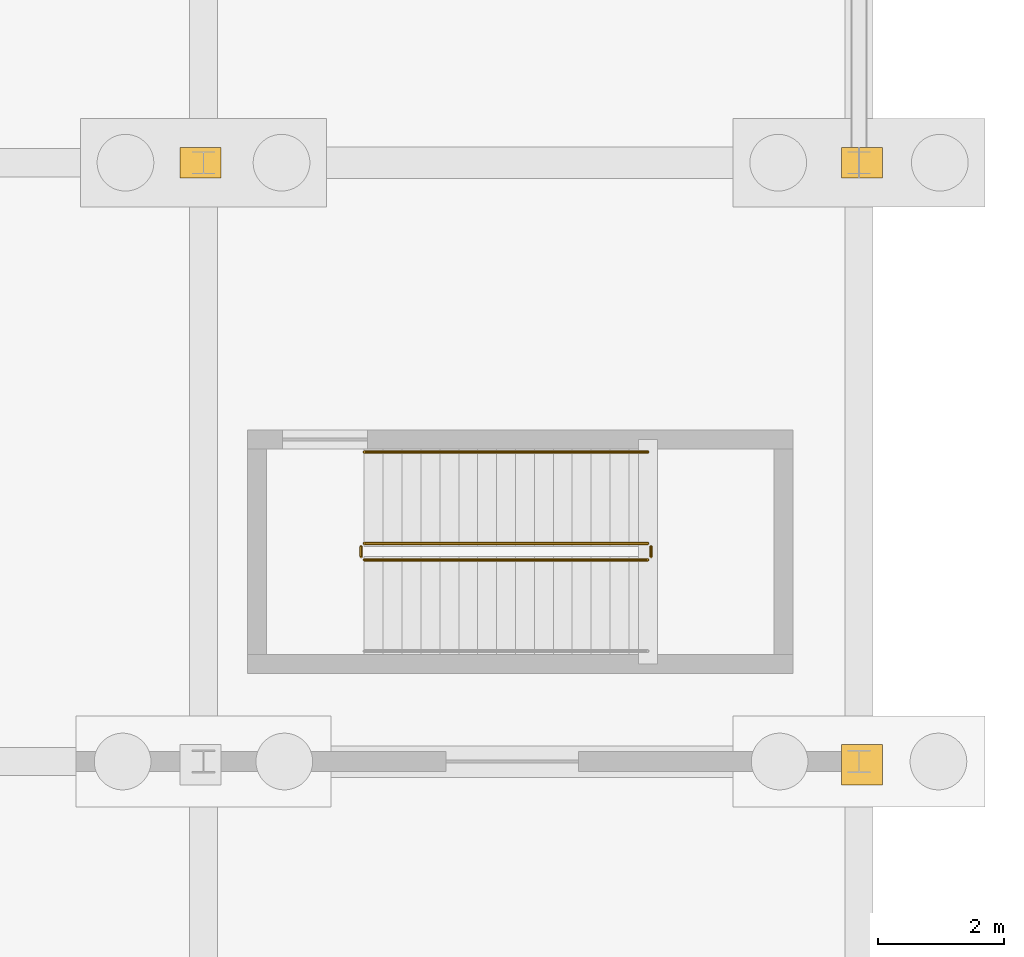
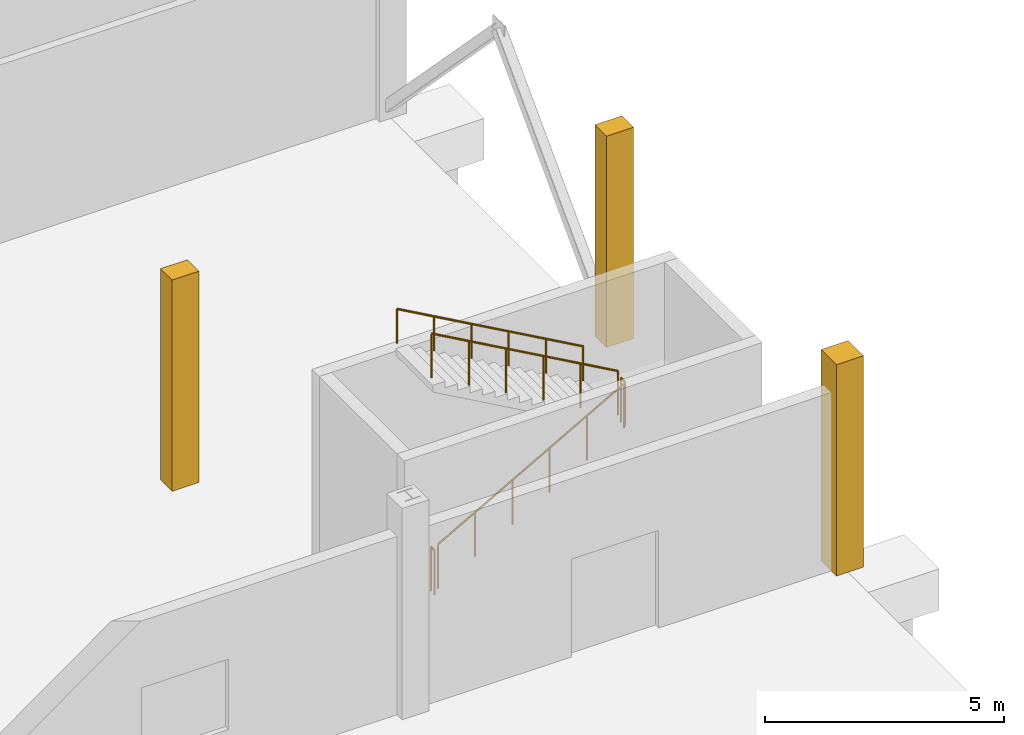
# One storey, part 80 of 83: 5 railings, 3 coverings.
"""IFC4 building model written with IfcOpenShell, lengths in metres."""

from ifc_helpers import new_model, si_unit, direction, frame, origin, origin_2d, place, context, subcontext, project, spatial, rectangle, circle, extrude, material, layer, layer_set, type_object, element, save


model = new_model("IFC4")

# Units and contexts
model_context = context("Model", 3, precision=1e-05, world=origin(), true_north=direction((0.0, 1.0)))
body_context = subcontext(model_context, "Body", "Model", "MODEL_VIEW")
ifc_project = project(units=[si_unit("LENGTHUNIT", "METRE"), si_unit("AREAUNIT", "SQUARE_METRE"), si_unit("VOLUMEUNIT", "CUBIC_METRE"), si_unit("PLANEANGLEUNIT", "RADIAN"), si_unit("MASSUNIT", "GRAM", prefix="KILO")], contexts=[model_context])

# Site, building, storey
site_placement = place(None, origin())
site = spatial("IfcSite", under=ifc_project, at=site_placement, CompositionType="ELEMENT")
building_placement = place(site_placement, origin())
building = spatial("IfcBuilding", under=site, at=building_placement, Name="Caurita Quay Ferry Terminal", CompositionType="ELEMENT")
storey_placement = place(building_placement, origin())
storey = spatial("IfcBuildingStorey", under=building, at=storey_placement, Name="L00", CompositionType="ELEMENT", Elevation=0.0)

# Coverings
ifc_material_1 = material(Name="Warm-white lime stucco masonry", Category="masonry")
ifc_layer = layer(ifc_material_1, 0.179931640625, Name="Classical engaged lime-stucco facade pilaster cladding 180 mm")
ifc_layer_set = layer_set([ifc_layer], Name="Warm-white lime stucco masonry")
covering_type = type_object("IfcCoveringType", Name="COV-PIL-CLD", PredefinedType="CLADDING", material=ifc_layer_set)
covering_1_placement = place(storey_placement, frame((163.550048828125, 53.199951171875, 0.0), z_axis=(0.0, 0.0, 1.0), x_axis=(1.0, 0.0, 0.0)))
element("IfcCovering", 1, at=covering_1_placement, inside=storey, type_object=covering_type, Name="L00 Classical Engaged Pilaster 0174", PredefinedType="CLADDING", context=body_context, shape_type="SweptSolid", body=[
    extrude(rectangle(XDim=0.65087890625, YDim=0.483154296875, at=origin_2d()), origin(), (0.0, 0.0, 1.0), 5.39990234375),
])
covering_2_placement = place(storey_placement, frame((174.050048828125, 43.64990234375, 0.0), z_axis=(0.0, 0.0, 1.0), x_axis=(1.0, 0.0, 0.0)))
element("IfcCovering", 2, at=covering_2_placement, inside=storey, type_object=covering_type, Name="L00 Classical Engaged Pilaster 0191", PredefinedType="CLADDING", context=body_context, shape_type="SweptSolid", body=[
    extrude(rectangle(XDim=0.65087890625, YDim=0.643310546875, at=origin_2d()), origin(), (0.0, 0.0, 1.0), 5.39990234375),
])
covering_3_placement = place(storey_placement, frame((174.050048828125, 53.199951171875, 0.0), z_axis=(0.0, 0.0, 1.0), x_axis=(1.0, 0.0, 0.0)))
element("IfcCovering", 3, at=covering_3_placement, inside=storey, type_object=covering_type, Name="L00 Classical Engaged Pilaster 0193", PredefinedType="CLADDING", context=body_context, shape_type="SweptSolid", body=[
    extrude(rectangle(XDim=0.65087890625, YDim=0.483154296875, at=origin_2d()), origin(), (0.0, 0.0, 1.0), 5.39990234375),
])

# Railings
ifc_material_2 = material(Name="Bronze architectural metalwork", Category="metal")
railing_type_1 = type_object("IfcRailingType", Name="RL-HND-090", PredefinedType="HANDRAIL", material=ifc_material_2)
railing_1_placement = place(storey_placement, frame((170.64990234375, 48.610107421875, 2.86865234375)))
element("IfcRailing", 4, at=railing_1_placement, inside=storey, type_object=railing_type_1, Name="L00 ST-11 stair handrail 2", PredefinedType="HANDRAIL", context=body_context, shape_type="SweptSolid", body=[
    extrude(circle(Radius=0.02392578125, at=origin_2d()), frame((0.0, 0.0, 0.8759765625), z_axis=(-0.871575537125, 0.0, 0.490261239633), x_axis=(0.0, -1.0, 0.0)), (0.0, 0.0, 1.0), 5.1630859375),
    extrude(circle(Radius=0.02099609375, at=origin_2d()), origin(), (0.0, 0.0, 1.0), 0.851806640625),
    extrude(circle(Radius=0.02099609375, at=origin_2d()), frame((-0.89990234375, 0.0, 0.50634765625)), (0.0, 0.0, 1.0), 0.851806640625),
    extrude(circle(Radius=0.02099609375, at=origin_2d()), frame((-1.800048828125, 0.0, 1.012451171875)), (0.0, 0.0, 1.0), 0.851806640625),
    extrude(circle(Radius=0.02099609375, at=origin_2d()), frame((-2.699951171875, 0.0, 1.518798828125)), (0.0, 0.0, 1.0), 0.851806640625),
    extrude(circle(Radius=0.02099609375, at=origin_2d()), frame((-3.60009765625, 0.0, 2.02490234375)), (0.0, 0.0, 1.0), 0.851806640625),
    extrude(circle(Radius=0.02099609375, at=origin_2d()), frame((-4.5, 0.0, 2.53125)), (0.0, 0.0, 1.0), 0.851806640625),
])
railing_type_2 = type_object("IfcRailingType", Name="RL-REJA-115", PredefinedType="BALUSTRADE", material=ifc_material_2)
railing_2_placement = place(storey_placement, frame((166.14990234375, 46.89990234375, 0.168701171875)))
element("IfcRailing", 5, at=railing_2_placement, inside=storey, type_object=railing_type_2, Name="L00 ST-11 stair guard 1", PredefinedType="BALUSTRADE", context=body_context, shape_type="SweptSolid", body=[
    extrude(circle(Radius=0.02392578125, at=origin_2d()), frame((0.0, 0.0, 1.1259765625), z_axis=(0.871575537125, 0.0, 0.490261239633), x_axis=(0.0, 1.0, 0.0)), (0.0, 0.0, 1.0), 5.1630859375),
    extrude(circle(Radius=0.02099609375, at=origin_2d()), origin(), (0.0, 0.0, 1.0), 1.101806640625),
    extrude(circle(Radius=0.02099609375, at=origin_2d()), frame((0.89990234375, 0.0, 0.50634765625)), (0.0, 0.0, 1.0), 1.101806640625),
    extrude(circle(Radius=0.02099609375, at=origin_2d()), frame((1.800048828125, 0.0, 1.012451171875)), (0.0, 0.0, 1.0), 1.101806640625),
    extrude(circle(Radius=0.02099609375, at=origin_2d()), frame((2.699951171875, 0.0, 1.518798828125)), (0.0, 0.0, 1.0), 1.101806640625),
    extrude(circle(Radius=0.02099609375, at=origin_2d()), frame((3.60009765625, 0.0, 2.02490234375)), (0.0, 0.0, 1.0), 1.101806640625),
    extrude(circle(Radius=0.02099609375, at=origin_2d()), frame((4.5, 0.0, 2.53125)), (0.0, 0.0, 1.0), 1.101806640625),
])
railing_3_placement = place(storey_placement, frame((170.699951171875, 46.949951171875, 2.699951171875)))
element("IfcRailing", 6, at=railing_3_placement, inside=storey, type_object=railing_type_2, Name="L00 ST-11 stair guard 2", PredefinedType="BALUSTRADE", context=body_context, shape_type="SweptSolid", body=[
    extrude(circle(Radius=0.02392578125, at=origin_2d()), frame((0.0, 0.0, 1.1259765625), z_axis=(0.0, 1.0, 0.0), x_axis=(-1.0, 0.0, 0.0)), (0.0, 0.0, 1.0), 0.16015625),
    extrude(circle(Radius=0.02099609375, at=origin_2d()), origin(), (0.0, 0.0, 1.0), 1.101806640625),
    extrude(circle(Radius=0.02099609375, at=origin_2d()), frame((0.0, 0.16015625, 0.0)), (0.0, 0.0, 1.0), 1.101806640625),
])
railing_4_placement = place(storey_placement, frame((170.64990234375, 47.159912109375, 2.86865234375)))
element("IfcRailing", 7, at=railing_4_placement, inside=storey, type_object=railing_type_2, Name="L00 ST-11 stair guard 3", PredefinedType="BALUSTRADE", context=body_context, shape_type="SweptSolid", body=[
    extrude(circle(Radius=0.02392578125, at=origin_2d()), frame((0.0, 0.0, 1.1259765625), z_axis=(-0.871575537125, 0.0, 0.490261239633), x_axis=(0.0, -1.0, 0.0)), (0.0, 0.0, 1.0), 5.1630859375),
    extrude(circle(Radius=0.02099609375, at=origin_2d()), origin(), (0.0, 0.0, 1.0), 1.101806640625),
    extrude(circle(Radius=0.02099609375, at=origin_2d()), frame((-0.89990234375, 0.0, 0.50634765625)), (0.0, 0.0, 1.0), 1.101806640625),
    extrude(circle(Radius=0.02099609375, at=origin_2d()), frame((-1.800048828125, 0.0, 1.012451171875)), (0.0, 0.0, 1.0), 1.101806640625),
    extrude(circle(Radius=0.02099609375, at=origin_2d()), frame((-2.699951171875, 0.0, 1.518798828125)), (0.0, 0.0, 1.0), 1.101806640625),
    extrude(circle(Radius=0.02099609375, at=origin_2d()), frame((-3.60009765625, 0.0, 2.02490234375)), (0.0, 0.0, 1.0), 1.101806640625),
    extrude(circle(Radius=0.02099609375, at=origin_2d()), frame((-4.5, 0.0, 2.53125)), (0.0, 0.0, 1.0), 1.101806640625),
])
railing_5_placement = place(storey_placement, frame((166.10009765625, 46.949951171875, 0.0)))
element("IfcRailing", 8, at=railing_5_placement, inside=storey, type_object=railing_type_2, Name="L00 ST-11 stair guard 4", PredefinedType="BALUSTRADE", context=body_context, shape_type="SweptSolid", body=[
    extrude(circle(Radius=0.02392578125, at=origin_2d()), frame((0.0, 0.0, 1.1259765625), z_axis=(0.0, 1.0, 0.0), x_axis=(-1.0, 0.0, 0.0)), (0.0, 0.0, 1.0), 0.16015625),
    extrude(circle(Radius=0.02099609375, at=origin_2d()), origin(), (0.0, 0.0, 1.0), 1.101806640625),
    extrude(circle(Radius=0.02099609375, at=origin_2d()), frame((0.0, 0.16015625, 0.0)), (0.0, 0.0, 1.0), 1.101806640625),
])

save(model, "model.ifc")
